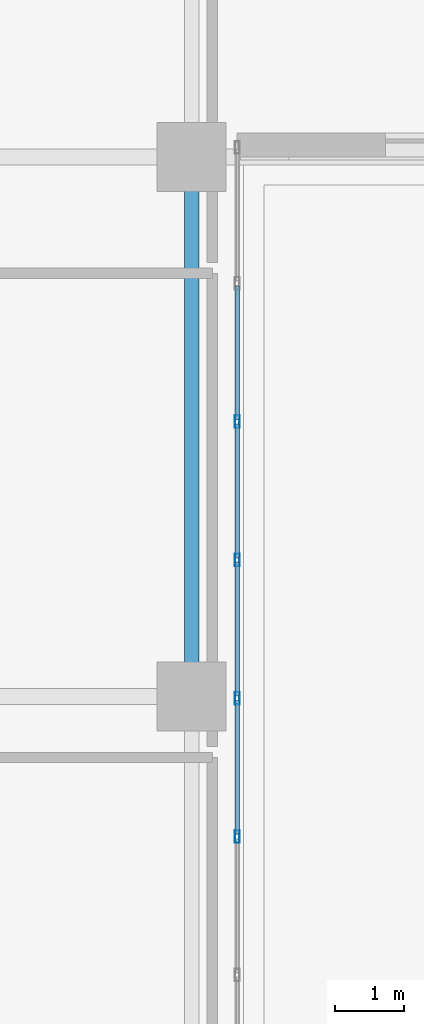
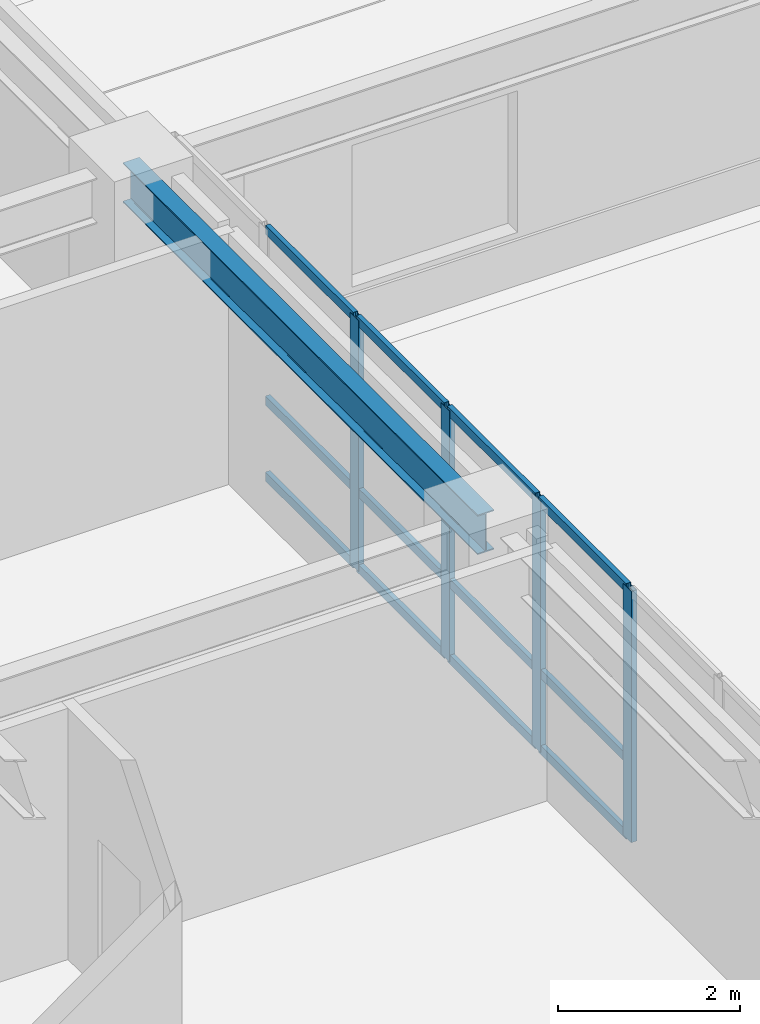
# One storey, part 4 of 25: 16 members, 1 beam, 1 element without a shape of its own.
"""IFC4 building model written with IfcOpenShell, lengths in metres."""

from ifc_helpers import new_model, si_unit, direction, frame, origin, origin_2d, place, context, subcontext, project, spatial, hollow_rectangle, i_section, extrude, source, transform, mapped, material, layer, layer_set, material_profile, profile_set, type_object, type_shapes, element, aggregate, save


model = new_model("IFC4")

# Units and contexts
model_context = context("Model", 3, precision=1e-05, world=origin(), true_north=direction((0.0, 1.0)))
body_context = subcontext(model_context, "Body", "Model", "MODEL_VIEW")
ifc_project = project(units=[si_unit("LENGTHUNIT", "METRE"), si_unit("AREAUNIT", "SQUARE_METRE"), si_unit("VOLUMEUNIT", "CUBIC_METRE"), si_unit("PLANEANGLEUNIT", "RADIAN"), si_unit("MASSUNIT", "GRAM", prefix="KILO")], contexts=[model_context])

# Site, building, storey
site_placement = place(None, origin())
site = spatial("IfcSite", under=ifc_project, at=site_placement, CompositionType="ELEMENT")
building_placement = place(site_placement, origin())
building = spatial("IfcBuilding", under=site, at=building_placement, Name="Tolvann Quenvar Hotel", CompositionType="ELEMENT")
storey_placement = place(building_placement, frame((0.0, 0.0, 32.0)))
storey = spatial("IfcBuildingStorey", under=building, at=storey_placement, Name="L06", CompositionType="ELEMENT", Elevation=32.0)

# Beam
ifc_material_1 = material(Name="Steel Grade 350", Category="steel")
ifc_material_profile_1 = material_profile(ifc_material_1, i_section(OverallWidth=0.208984375, OverallDepth=0.532958984375, WebThickness=0.01025390625, FlangeThickness=0.015625, FilletRadius=0.013916015625, at=origin_2d()), Name="530UB92")
ifc_profile_set_1 = profile_set([ifc_material_profile_1], Name="Steel Grade 350")
beam_type = type_object("IfcBeamType", Name="BM_GIRD_530UB92", PredefinedType="BEAM", material=ifc_profile_set_1)
shared_shape_1 = source(origin(), body_context, "Body", "SweptSolid", [
    extrude(i_section(OverallWidth=0.208984375, OverallDepth=0.532958984375, WebThickness=0.01025390625, FlangeThickness=0.015625, FilletRadius=0.013916015625, at=origin_2d()), origin(), (0.0, 0.0, 1.0), 7.800048828125),
])
type_shapes(beam_type, [shared_shape_1])
beam_placement = place(storey_placement, frame((22.050048828125, 8.199951171875, 3.103515625), z_axis=(0.0, 1.0, 0.0), x_axis=(-1.0, 0.0, 0.0)))
element("IfcBeam", 1, at=beam_placement, inside=storey, type_object=beam_type, Name="BM-L06-NS-E3-E4", PredefinedType="BEAM", context=body_context, shape_type="MappedRepresentation", body=[
    mapped(shared_shape_1, transform((0.0, 0.0, 0.0), x_axis=(1.0, 0.0, 0.0), y_axis=(0.0, 1.0, 0.0), z_axis=(0.0, 0.0, 1.0), scale=1.0)),
])

# Curtain wall, members
ifc_material_2 = material(Name="Thermally broken anodised architectural aluminium 6063-T6 and laminated low-E glass", Category="aluminium")
ifc_layer = layer(ifc_material_2, 0.179931640625)
ifc_layer_set = layer_set([ifc_layer], Name="Thermally broken anodised architectural aluminium 6063-T6 and laminated low-E glass")
curtain_wall_type = type_object("IfcCurtainWallType", Name="CW_SYS_SLOT_03", PredefinedType="USERDEFINED", material=ifc_layer_set)
curtain_wall_placement = place(storey_placement, origin())
curtain_wall = element("IfcCurtainWall", 2, at=curtain_wall_placement, inside=storey, type_object=curtain_wall_type, Name="Curtain Wall CW-SLOT-03 (CWR-L06-E05)", ObjectType="UNITISED CURTAIN WALL", PredefinedType="USERDEFINED")
ifc_material_3 = material(Name="Anodised architectural aluminium 6063-T6 framing", Category="aluminium")
ifc_material_profile_2 = material_profile(ifc_material_3, hollow_rectangle(XDim=0.070068359375, YDim=0.179931640625, WallThickness=0.00390625, at=origin_2d()), Name="180x70x4RHS")
ifc_profile_set_2 = profile_set([ifc_material_profile_2], Name="Anodised architectural aluminium 6063-T6 framing")
member_type_1 = type_object("IfcMemberType", Name="CW_MULL_180x70", PredefinedType="MULLION", material=ifc_profile_set_2)
shared_shape_2 = source(origin(), body_context, "Body", "SweptSolid", [
    extrude(hollow_rectangle(XDim=0.070068359375, YDim=0.179931640625, WallThickness=0.00390625, at=origin_2d()), origin(), (0.0, 0.0, 1.0), 3.3701171875),
])
type_shapes(member_type_1, [shared_shape_2])
member_1_placement = place(storey_placement, frame((22.7099609375, 6.175048828125, 0.0), z_axis=(0.0, 0.0, 1.0), x_axis=(-1.0, 0.0, 0.0)))
member_1 = element("IfcMember", 3, at=member_1_placement, type_object=member_type_1, Name="CW-SLOT-03 mullion 4", PredefinedType="MULLION", context=body_context, shape_type="MappedRepresentation", body=[
    mapped(shared_shape_2, transform((0.0, 0.0, 0.0), x_axis=(1.0, 0.0, 0.0), y_axis=(0.0, 1.0, 0.0), z_axis=(0.0, 0.0, 1.0), scale=1.0)),
])
member_2_placement = place(storey_placement, frame((22.7099609375, 8.175048828125, 0.0), z_axis=(0.0, 0.0, 1.0), x_axis=(-1.0, 0.0, 0.0)))
member_2 = element("IfcMember", 4, at=member_2_placement, type_object=member_type_1, Name="CW-SLOT-03 mullion 5", PredefinedType="MULLION", context=body_context, shape_type="MappedRepresentation", body=[
    mapped(shared_shape_2, transform((0.0, 0.0, 0.0), x_axis=(1.0, 0.0, 0.0), y_axis=(0.0, 1.0, 0.0), z_axis=(0.0, 0.0, 1.0), scale=1.0)),
])
member_3_placement = place(storey_placement, frame((22.7099609375, 10.175048828125, 0.0), z_axis=(0.0, 0.0, 1.0), x_axis=(-1.0, 0.0, 0.0)))
member_3 = element("IfcMember", 5, at=member_3_placement, type_object=member_type_1, Name="CW-SLOT-03 mullion 6", PredefinedType="MULLION", context=body_context, shape_type="MappedRepresentation", body=[
    mapped(shared_shape_2, transform((0.0, 0.0, 0.0), x_axis=(1.0, 0.0, 0.0), y_axis=(0.0, 1.0, 0.0), z_axis=(0.0, 0.0, 1.0), scale=1.0)),
])
member_4_placement = place(storey_placement, frame((22.7099609375, 12.175048828125, 0.0), z_axis=(0.0, 0.0, 1.0), x_axis=(-1.0, 0.0, 0.0)))
member_4 = element("IfcMember", 6, at=member_4_placement, type_object=member_type_1, Name="CW-SLOT-03 mullion 7", PredefinedType="MULLION", context=body_context, shape_type="MappedRepresentation", body=[
    mapped(shared_shape_2, transform((0.0, 0.0, 0.0), x_axis=(1.0, 0.0, 0.0), y_axis=(0.0, 1.0, 0.0), z_axis=(0.0, 0.0, 1.0), scale=1.0)),
])
ifc_material_profile_3 = material_profile(ifc_material_3, hollow_rectangle(XDim=0.06005859375, YDim=0.1201171875, WallThickness=0.00341796875, at=origin_2d()), Name="120x60x3.5RHS")
ifc_profile_set_3 = profile_set([ifc_material_profile_3], Name="Anodised architectural aluminium 6063-T6 framing")
member_type_2 = type_object("IfcMemberType", Name="CW_TRAN_120x60", PredefinedType="USERDEFINED", material=ifc_profile_set_3)
shared_shape_3 = source(origin(), body_context, "Body", "SweptSolid", [
    extrude(hollow_rectangle(XDim=0.06005859375, YDim=0.1201171875, WallThickness=0.00341796875, at=origin_2d()), origin(), (0.0, 0.0, 1.0), 1.929931640625),
])
type_shapes(member_type_2, [shared_shape_3])
member_5_placement = place(storey_placement, frame((22.7099609375, 6.2099609375, 0.030029296875), z_axis=(0.0, 1.0, 0.0), x_axis=(-1.0, 0.0, 0.0)))
member_5 = element("IfcMember", 7, at=member_5_placement, type_object=member_type_2, Name="CW-SLOT-03 transom 4.1", ObjectType="TRANSOM", PredefinedType="USERDEFINED", context=body_context, shape_type="MappedRepresentation", body=[
    mapped(shared_shape_3, transform((0.0, 0.0, 0.0), x_axis=(1.0, 0.0, 0.0), y_axis=(0.0, 1.0, 0.0), z_axis=(0.0, 0.0, 1.0), scale=1.0)),
])
member_6_placement = place(storey_placement, frame((22.7099609375, 6.2099609375, 1.050048828125), z_axis=(0.0, 1.0, 0.0), x_axis=(-1.0, 0.0, 0.0)))
member_6 = element("IfcMember", 8, at=member_6_placement, type_object=member_type_2, Name="CW-SLOT-03 transom 4.2", ObjectType="TRANSOM", PredefinedType="USERDEFINED", context=body_context, shape_type="MappedRepresentation", body=[
    mapped(shared_shape_3, transform((0.0, 0.0, 0.0), x_axis=(1.0, 0.0, 0.0), y_axis=(0.0, 1.0, 0.0), z_axis=(0.0, 0.0, 1.0), scale=1.0)),
])
member_7_placement = place(storey_placement, frame((22.7099609375, 6.2099609375, 3.340087890625), z_axis=(0.0, 1.0, 0.0), x_axis=(-1.0, 0.0, 0.0)))
member_7 = element("IfcMember", 9, at=member_7_placement, type_object=member_type_2, Name="CW-SLOT-03 transom 4.3", ObjectType="TRANSOM", PredefinedType="USERDEFINED", context=body_context, shape_type="MappedRepresentation", body=[
    mapped(shared_shape_3, transform((0.0, 0.0, 0.0), x_axis=(1.0, 0.0, 0.0), y_axis=(0.0, 1.0, 0.0), z_axis=(0.0, 0.0, 1.0), scale=1.0)),
])
member_8_placement = place(storey_placement, frame((22.7099609375, 8.2099609375, 0.030029296875), z_axis=(0.0, 1.0, 0.0), x_axis=(-1.0, 0.0, 0.0)))
member_8 = element("IfcMember", 10, at=member_8_placement, type_object=member_type_2, Name="CW-SLOT-03 transom 5.1", ObjectType="TRANSOM", PredefinedType="USERDEFINED", context=body_context, shape_type="MappedRepresentation", body=[
    mapped(shared_shape_3, transform((0.0, 0.0, 0.0), x_axis=(1.0, 0.0, 0.0), y_axis=(0.0, 1.0, 0.0), z_axis=(0.0, 0.0, 1.0), scale=1.0)),
])
member_9_placement = place(storey_placement, frame((22.7099609375, 8.2099609375, 1.050048828125), z_axis=(0.0, 1.0, 0.0), x_axis=(-1.0, 0.0, 0.0)))
member_9 = element("IfcMember", 11, at=member_9_placement, type_object=member_type_2, Name="CW-SLOT-03 transom 5.2", ObjectType="TRANSOM", PredefinedType="USERDEFINED", context=body_context, shape_type="MappedRepresentation", body=[
    mapped(shared_shape_3, transform((0.0, 0.0, 0.0), x_axis=(1.0, 0.0, 0.0), y_axis=(0.0, 1.0, 0.0), z_axis=(0.0, 0.0, 1.0), scale=1.0)),
])
member_10_placement = place(storey_placement, frame((22.7099609375, 8.2099609375, 3.340087890625), z_axis=(0.0, 1.0, 0.0), x_axis=(-1.0, 0.0, 0.0)))
member_10 = element("IfcMember", 12, at=member_10_placement, type_object=member_type_2, Name="CW-SLOT-03 transom 5.3", ObjectType="TRANSOM", PredefinedType="USERDEFINED", context=body_context, shape_type="MappedRepresentation", body=[
    mapped(shared_shape_3, transform((0.0, 0.0, 0.0), x_axis=(1.0, 0.0, 0.0), y_axis=(0.0, 1.0, 0.0), z_axis=(0.0, 0.0, 1.0), scale=1.0)),
])
member_11_placement = place(storey_placement, frame((22.7099609375, 10.2099609375, 0.030029296875), z_axis=(0.0, 1.0, 0.0), x_axis=(-1.0, 0.0, 0.0)))
member_11 = element("IfcMember", 13, at=member_11_placement, type_object=member_type_2, Name="CW-SLOT-03 transom 6.1", ObjectType="TRANSOM", PredefinedType="USERDEFINED", context=body_context, shape_type="MappedRepresentation", body=[
    mapped(shared_shape_3, transform((0.0, 0.0, 0.0), x_axis=(1.0, 0.0, 0.0), y_axis=(0.0, 1.0, 0.0), z_axis=(0.0, 0.0, 1.0), scale=1.0)),
])
member_12_placement = place(storey_placement, frame((22.7099609375, 10.2099609375, 1.050048828125), z_axis=(0.0, 1.0, 0.0), x_axis=(-1.0, 0.0, 0.0)))
member_12 = element("IfcMember", 14, at=member_12_placement, type_object=member_type_2, Name="CW-SLOT-03 transom 6.2", ObjectType="TRANSOM", PredefinedType="USERDEFINED", context=body_context, shape_type="MappedRepresentation", body=[
    mapped(shared_shape_3, transform((0.0, 0.0, 0.0), x_axis=(1.0, 0.0, 0.0), y_axis=(0.0, 1.0, 0.0), z_axis=(0.0, 0.0, 1.0), scale=1.0)),
])
member_13_placement = place(storey_placement, frame((22.7099609375, 10.2099609375, 3.340087890625), z_axis=(0.0, 1.0, 0.0), x_axis=(-1.0, 0.0, 0.0)))
member_13 = element("IfcMember", 15, at=member_13_placement, type_object=member_type_2, Name="CW-SLOT-03 transom 6.3", ObjectType="TRANSOM", PredefinedType="USERDEFINED", context=body_context, shape_type="MappedRepresentation", body=[
    mapped(shared_shape_3, transform((0.0, 0.0, 0.0), x_axis=(1.0, 0.0, 0.0), y_axis=(0.0, 1.0, 0.0), z_axis=(0.0, 0.0, 1.0), scale=1.0)),
])
member_14_placement = place(storey_placement, frame((22.7099609375, 12.2099609375, 0.030029296875), z_axis=(0.0, 1.0, 0.0), x_axis=(-1.0, 0.0, 0.0)))
member_14 = element("IfcMember", 16, at=member_14_placement, type_object=member_type_2, Name="CW-SLOT-03 transom 7.1", ObjectType="TRANSOM", PredefinedType="USERDEFINED", context=body_context, shape_type="MappedRepresentation", body=[
    mapped(shared_shape_3, transform((0.0, 0.0, 0.0), x_axis=(1.0, 0.0, 0.0), y_axis=(0.0, 1.0, 0.0), z_axis=(0.0, 0.0, 1.0), scale=1.0)),
])
member_15_placement = place(storey_placement, frame((22.7099609375, 12.2099609375, 1.050048828125), z_axis=(0.0, 1.0, 0.0), x_axis=(-1.0, 0.0, 0.0)))
member_15 = element("IfcMember", 17, at=member_15_placement, type_object=member_type_2, Name="CW-SLOT-03 transom 7.2", ObjectType="TRANSOM", PredefinedType="USERDEFINED", context=body_context, shape_type="MappedRepresentation", body=[
    mapped(shared_shape_3, transform((0.0, 0.0, 0.0), x_axis=(1.0, 0.0, 0.0), y_axis=(0.0, 1.0, 0.0), z_axis=(0.0, 0.0, 1.0), scale=1.0)),
])
member_16_placement = place(storey_placement, frame((22.7099609375, 12.2099609375, 3.340087890625), z_axis=(0.0, 1.0, 0.0), x_axis=(-1.0, 0.0, 0.0)))
member_16 = element("IfcMember", 18, at=member_16_placement, type_object=member_type_2, Name="CW-SLOT-03 transom 7.3", ObjectType="TRANSOM", PredefinedType="USERDEFINED", context=body_context, shape_type="MappedRepresentation", body=[
    mapped(shared_shape_3, transform((0.0, 0.0, 0.0), x_axis=(1.0, 0.0, 0.0), y_axis=(0.0, 1.0, 0.0), z_axis=(0.0, 0.0, 1.0), scale=1.0)),
])
aggregate(curtain_wall, [member_1, member_2, member_3, member_4, member_5, member_6, member_7, member_8, member_9, member_10, member_11, member_12, member_13, member_14, member_15, member_16])

save(model, "model.ifc")
